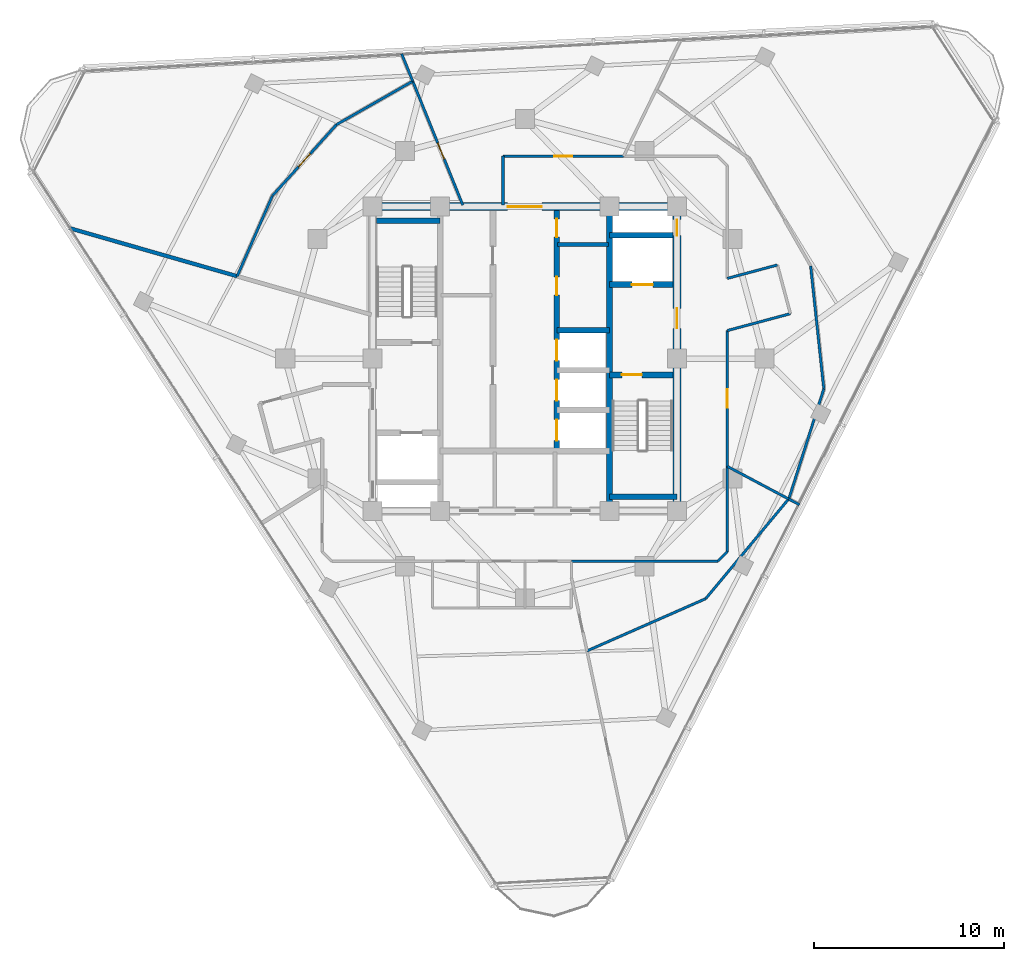
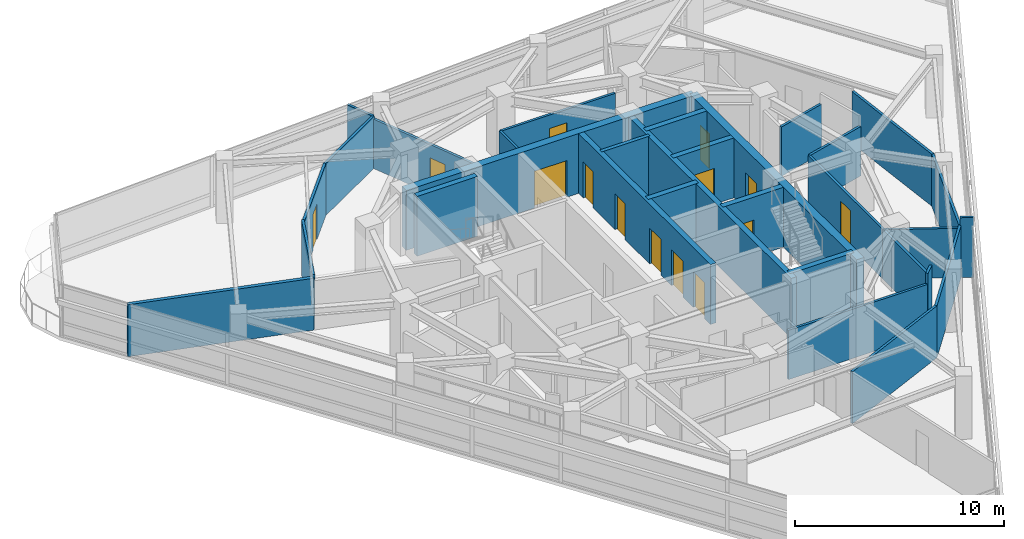
# One storey, part 9 of 15: 31 walls, 14 doors, 14 openings.
"""IFC4 building model written with IfcOpenShell, lengths in metres."""

from ifc_helpers import new_model, si_unit, direction, frame, frame_2d, origin, place, context, subcontext, project, spatial, rectangle, extrude, material, layer, layer_set, type_object, element, fill, save


model = new_model("IFC4")

# Units and contexts
model_context = context("Model", 3, precision=1e-05, world=origin(), true_north=direction((0.0, 1.0)))
body_context = subcontext(model_context, "Body", "Model", "MODEL_VIEW")
ifc_project = project(units=[si_unit("LENGTHUNIT", "METRE"), si_unit("AREAUNIT", "SQUARE_METRE"), si_unit("VOLUMEUNIT", "CUBIC_METRE"), si_unit("PLANEANGLEUNIT", "RADIAN"), si_unit("MASSUNIT", "GRAM", prefix="KILO")], contexts=[model_context])

# Site, building, storey
site_placement = place(None, origin())
site = spatial("IfcSite", under=ifc_project, at=site_placement, CompositionType="ELEMENT")
building_placement = place(site_placement, origin())
building = spatial("IfcBuilding", under=site, at=building_placement, Name="Terralouvre Media Tower", CompositionType="ELEMENT")
storey_placement = place(building_placement, frame((0.0, 0.0, 263.300048828125)))
storey = spatial("IfcBuildingStorey", under=building, at=storey_placement, Name="L68", CompositionType="ELEMENT", Elevation=263.300048828125)

# Walls
ifc_material_1 = material(Name="Concrete C50/60", Category="concrete")
ifc_layer_1 = layer(ifc_material_1, 0.300048828125, Name="Core Internal Shaft Wall CW-300")
ifc_layer_set_1 = layer_set([ifc_layer_1], Name="Concrete C50/60")
wall_type_1 = type_object("IfcWallType", Name="Core Internal Shaft Wall CW-300", PredefinedType="SHEAR", material=ifc_layer_set_1)
wall_1_placement = place(storey_placement, frame((4.449951171875, -7.7900390625, 0.0), z_axis=(0.0, 0.0, 1.0), x_axis=(0.0, 1.0, 0.0)))
element("IfcWall", 1, at=wall_1_placement, inside=storey, type_object=wall_type_1, Name="L68 Core Shaft Wall SPE", PredefinedType="SHEAR", context=body_context, shape_type="SweptSolid", body=[
    extrude(rectangle(XDim=15.580078125, YDim=0.300048828125, at=frame_2d((7.7900390625, 0.0))), origin(), (0.0, 0.0, 1.0), 3.5),
])
wall_2_placement = place(storey_placement, frame((-7.7900390625, 7.260009765625, 0.0), z_axis=(0.0, 0.0, 1.0), x_axis=(1.0, 0.0, 0.0)))
element("IfcWall", 2, at=wall_2_placement, inside=storey, type_object=wall_type_1, Name="L68 Core Shaft Wall ST1F", PredefinedType="SHEAR", context=body_context, shape_type="SweptSolid", body=[
    extrude(rectangle(XDim=3.340087890625, YDim=0.300048828125, at=frame_2d((1.669921875, 0.0))), origin(), (0.0, 0.0, 1.0), 3.5),
])

# Wall, opening, door
wall_3_placement = place(storey_placement, frame((4.449951171875, -0.85009765625, 0.0), z_axis=(0.0, 0.0, 1.0), x_axis=(1.0, 0.0, 0.0)))
wall_3 = element("IfcWall", 3, at=wall_3_placement, inside=storey, type_object=wall_type_1, Name="L68 Core Shaft Wall ST2D", PredefinedType="SHEAR", context=body_context, shape_type="SweptSolid", body=[
    extrude(rectangle(XDim=3.340087890625, YDim=0.300048828125, at=frame_2d((1.669921875, 0.0))), origin(), (0.0, 0.0, 1.0), 3.5),
])
opening_1_placement = place(wall_3_placement, frame((0.64990234375, 0.0, 0.0)))
opening_1 = element("IfcOpeningElement", 4, at=opening_1_placement, cuts=wall_3, Name="Opening FD-01-105X215", PredefinedType="OPENING", context=body_context, shape_type="SweptSolid", body=[
    extrude(rectangle(XDim=1.050048828125, YDim=2.14990234375, at=frame_2d((0.52490234375, 1.074951171875))), frame((0.0, 0.159912109375, 0.0), z_axis=(0.0, -1.0, 0.0), x_axis=(1.0, 0.0, 0.0)), (0.0, 0.0, 1.0), 0.320068359375),
])
ifc_material_2 = material(Name="Galvanised steel fire-resisting leaf", Category="steel")
door_type_1 = type_object("IfcDoorType", Name="Stair and Firefighting Lobby Fire Door FD-01 (1050x2150)", OperationType="NOTDEFINED", PredefinedType="DOOR", material=ifc_material_2)
door_1_placement = place(opening_1_placement, origin())
door_1 = element("IfcDoor", 5, at=door_1_placement, inside=storey, type_object=door_type_1, Name="L68 ST-02 Exit Stair Door", OperationType="SINGLE_SWING_RIGHT", OverallHeight=2.14990234375, OverallWidth=1.050048828125, PredefinedType="DOOR", context=body_context, shape_type="SweptSolid", body=[
    extrude(rectangle(XDim=1.050048828125, YDim=2.14990234375, at=frame_2d((0.52490234375, 1.074951171875))), frame((0.0, 0.02490234375, 0.0), z_axis=(0.0, -1.0, 0.0), x_axis=(1.0, 0.0, 0.0)), (0.0, 0.0, 1.0), 0.050048828125),
])
fill(opening_1, door_1)

# Wall
wall_4_placement = place(storey_placement, frame((4.449951171875, -7.260009765625, 0.0), z_axis=(0.0, 0.0, 1.0), x_axis=(1.0, 0.0, 0.0)))
element("IfcWall", 6, at=wall_4_placement, inside=storey, type_object=wall_type_1, Name="L68 Core Shaft Wall ST2F", PredefinedType="SHEAR", context=body_context, shape_type="SweptSolid", body=[
    extrude(rectangle(XDim=3.550048828125, YDim=0.300048828125, at=frame_2d((1.77490234375, 0.0))), origin(), (0.0, 0.0, 1.0), 3.5),
])

# Wall, opening, door
wall_5_placement = place(storey_placement, frame((4.449951171875, 3.89990234375, 0.0), z_axis=(0.0, 0.0, 1.0), x_axis=(1.0, 0.0, 0.0)))
wall_5 = element("IfcWall", 7, at=wall_5_placement, inside=storey, type_object=wall_type_1, Name="L68 Core Shaft Wall FF2S", PredefinedType="SHEAR", context=body_context, shape_type="SweptSolid", body=[
    extrude(rectangle(XDim=3.340087890625, YDim=0.300048828125, at=frame_2d((1.669921875, 0.0))), origin(), (0.0, 0.0, 1.0), 3.5),
])
opening_2_placement = place(wall_5_placement, frame((1.179931640625, 0.0, 0.0)))
opening_2 = element("IfcOpeningElement", 8, at=opening_2_placement, cuts=wall_5, Name="Opening LD-FF", PredefinedType="OPENING", context=body_context, shape_type="SweptSolid", body=[
    extrude(rectangle(XDim=1.10009765625, YDim=2.10009765625, at=frame_2d((0.550048828125, 1.050048828125))), frame((0.0, 0.159912109375, 0.0), z_axis=(0.0, -1.0, 0.0), x_axis=(1.0, 0.0, 0.0)), (0.0, 0.0, 1.0), 0.320068359375),
])
ifc_material_3 = material(Name="Stainless steel 316 handrail and balustrade", Category="steel")
door_type_2 = type_object("IfcDoorType", Name="Firefighting Lift Sliding Landing Door LD-FF", OperationType="SLIDING_TO_LEFT", PredefinedType="DOOR", material=ifc_material_3)
door_2_placement = place(opening_2_placement, origin())
door_2 = element("IfcDoor", 9, at=door_2_placement, inside=storey, type_object=door_type_2, Name="L68 Firefighting Lift FFL-02 Landing Door", OperationType="SLIDING_TO_LEFT", OverallHeight=2.10009765625, OverallWidth=1.10009765625, PredefinedType="DOOR", context=body_context, shape_type="SweptSolid", body=[
    extrude(rectangle(XDim=1.10009765625, YDim=2.10009765625, at=frame_2d((0.550048828125, 1.050048828125))), frame((0.0, 0.02490234375, 0.0), z_axis=(0.0, -1.0, 0.0), x_axis=(1.0, 0.0, 0.0)), (0.0, 0.0, 1.0), 0.050048828125),
])
fill(opening_2, door_2)

# Wall
wall_6_placement = place(storey_placement, frame((4.449951171875, 6.5, 0.0), z_axis=(0.0, 0.0, 1.0), x_axis=(1.0, 0.0, 0.0)))
element("IfcWall", 10, at=wall_6_placement, inside=storey, type_object=wall_type_1, Name="L68 Core Shaft Wall FF2N", PredefinedType="SHEAR", context=body_context, shape_type="SweptSolid", body=[
    extrude(rectangle(XDim=3.340087890625, YDim=0.300048828125, at=frame_2d((1.669921875, 0.0))), origin(), (0.0, 0.0, 1.0), 3.5),
])

# Wall, openings, doors
wall_7_placement = place(storey_placement, frame((1.679931640625, -4.85009765625, 0.0), z_axis=(0.0, 0.0, 1.0), x_axis=(0.0, 1.0, 0.0)))
wall_7 = element("IfcWall", 11, at=wall_7_placement, inside=storey, type_object=wall_type_1, Name="L68 Core Shaft Wall LBE", PredefinedType="SHEAR", context=body_context, shape_type="SweptSolid", body=[
    extrude(rectangle(XDim=12.64013671875, YDim=0.300048828125, at=frame_2d((6.320068359375, 0.0))), origin(), (0.0, 0.0, 1.0), 3.5),
])
opening_3_placement = place(wall_7_placement, frame((0.550048828125, 0.0, 0.0)))
opening_3 = element("IfcOpeningElement", 12, at=opening_3_placement, cuts=wall_7, Name="Opening LD-PL", PredefinedType="OPENING", context=body_context, shape_type="SweptSolid", body=[
    extrude(rectangle(XDim=1.10009765625, YDim=2.10009765625, at=frame_2d((0.550048828125, 1.050048828125))), frame((0.0, 0.159912109375, 0.0), z_axis=(0.0, -1.0, 0.0), x_axis=(1.0, 0.0, 0.0)), (0.0, 0.0, 1.0), 0.320068359375),
])
opening_4_placement = place(wall_7_placement, frame((2.64990234375, 0.0, 0.0)))
opening_4 = element("IfcOpeningElement", 13, at=opening_4_placement, cuts=wall_7, Name="Opening LD-PL", PredefinedType="OPENING", context=body_context, shape_type="SweptSolid", body=[
    extrude(rectangle(XDim=1.10009765625, YDim=2.10009765625, at=frame_2d((0.550048828125, 1.050048828125))), frame((0.0, 0.159912109375, 0.0), z_axis=(0.0, -1.0, 0.0), x_axis=(1.0, 0.0, 0.0)), (0.0, 0.0, 1.0), 0.320068359375),
])
opening_5_placement = place(wall_7_placement, frame((4.75, 0.0, 0.0)))
opening_5 = element("IfcOpeningElement", 14, at=opening_5_placement, cuts=wall_7, Name="Opening LD-PL", PredefinedType="OPENING", context=body_context, shape_type="SweptSolid", body=[
    extrude(rectangle(XDim=1.10009765625, YDim=2.10009765625, at=frame_2d((0.550048828125, 1.050048828125))), frame((0.0, 0.159912109375, 0.0), z_axis=(0.0, -1.0, 0.0), x_axis=(1.0, 0.0, 0.0)), (0.0, 0.0, 1.0), 0.320068359375),
])
opening_6_placement = place(wall_7_placement, frame((8.199951171875, 0.0, 0.0)))
opening_6 = element("IfcOpeningElement", 15, at=opening_6_placement, cuts=wall_7, Name="Opening FD-02-95X210", PredefinedType="OPENING", context=body_context, shape_type="SweptSolid", body=[
    extrude(rectangle(XDim=0.949951171875, YDim=2.10009765625, at=frame_2d((0.47509765625, 1.050048828125))), frame((0.0, 0.159912109375, 0.0), z_axis=(0.0, -1.0, 0.0), x_axis=(1.0, 0.0, 0.0)), (0.0, 0.0, 1.0), 0.320068359375),
])
opening_7_placement = place(wall_7_placement, frame((11.25, 0.0, 0.0)))
opening_7 = element("IfcOpeningElement", 16, at=opening_7_placement, cuts=wall_7, Name="Opening SD-02", PredefinedType="OPENING", context=body_context, shape_type="SweptSolid", body=[
    extrude(rectangle(XDim=0.949951171875, YDim=2.10009765625, at=frame_2d((0.47509765625, 1.050048828125))), frame((0.0, 0.159912109375, 0.0), z_axis=(0.0, -1.0, 0.0), x_axis=(1.0, 0.0, 0.0)), (0.0, 0.0, 1.0), 0.320068359375),
])
ifc_material_4 = material(Name="Galvanised steel fire-resisting leaf", Category="steel")
door_type_3 = type_object("IfcDoorType", Name="Core Service Sliding Fire Door SD-02", OperationType="SLIDING_TO_LEFT", PredefinedType="DOOR", material=ifc_material_4)
door_3_placement = place(opening_7_placement, origin())
door_3 = element("IfcDoor", 17, at=door_3_placement, inside=storey, type_object=door_type_3, Name="L68 Core Hospitality Store Door", OperationType="SLIDING_TO_LEFT", OverallHeight=2.10009765625, OverallWidth=0.949951171875, PredefinedType="DOOR", context=body_context, shape_type="SweptSolid", body=[
    extrude(rectangle(XDim=0.949951171875, YDim=2.10009765625, at=frame_2d((0.47509765625, 1.050048828125))), frame((0.0, 0.02490234375, 0.0), z_axis=(0.0, -1.0, 0.0), x_axis=(1.0, 0.0, 0.0)), (0.0, 0.0, 1.0), 0.050048828125),
])
fill(opening_7, door_3)
ifc_material_5 = material(Name="Stainless steel 316 handrail and balustrade", Category="steel")
door_type_4 = type_object("IfcDoorType", Name="Passenger Lift Sliding Landing Door LD-PL", OperationType="SLIDING_TO_LEFT", PredefinedType="DOOR", material=ifc_material_5)
door_4_placement = place(opening_3_placement, origin())
door_4 = element("IfcDoor", 18, at=door_4_placement, inside=storey, type_object=door_type_4, Name="L68 High-Rise Lift PL-H1 Landing Door", OperationType="SLIDING_TO_LEFT", OverallHeight=2.10009765625, OverallWidth=1.10009765625, PredefinedType="DOOR", context=body_context, shape_type="SweptSolid", body=[
    extrude(rectangle(XDim=1.10009765625, YDim=2.10009765625, at=frame_2d((0.550048828125, 1.050048828125))), frame((0.0, 0.02490234375, 0.0), z_axis=(0.0, -1.0, 0.0), x_axis=(1.0, 0.0, 0.0)), (0.0, 0.0, 1.0), 0.050048828125),
])
fill(opening_3, door_4)
door_5_placement = place(opening_4_placement, origin())
door_5 = element("IfcDoor", 19, at=door_5_placement, inside=storey, type_object=door_type_4, Name="L68 High-Rise Lift PL-H2 Landing Door", OperationType="SLIDING_TO_LEFT", OverallHeight=2.10009765625, OverallWidth=1.10009765625, PredefinedType="DOOR", context=body_context, shape_type="SweptSolid", body=[
    extrude(rectangle(XDim=1.10009765625, YDim=2.10009765625, at=frame_2d((0.550048828125, 1.050048828125))), frame((0.0, 0.02490234375, 0.0), z_axis=(0.0, -1.0, 0.0), x_axis=(1.0, 0.0, 0.0)), (0.0, 0.0, 1.0), 0.050048828125),
])
fill(opening_4, door_5)
door_6_placement = place(opening_5_placement, origin())
door_6 = element("IfcDoor", 20, at=door_6_placement, inside=storey, type_object=door_type_4, Name="L68 High-Rise Lift PL-H3 Landing Door", OperationType="SLIDING_TO_LEFT", OverallHeight=2.10009765625, OverallWidth=1.10009765625, PredefinedType="DOOR", context=body_context, shape_type="SweptSolid", body=[
    extrude(rectangle(XDim=1.10009765625, YDim=2.10009765625, at=frame_2d((0.550048828125, 1.050048828125))), frame((0.0, 0.02490234375, 0.0), z_axis=(0.0, -1.0, 0.0), x_axis=(1.0, 0.0, 0.0)), (0.0, 0.0, 1.0), 0.050048828125),
])
fill(opening_5, door_6)
ifc_material_6 = material(Name="Galvanised steel fire-resisting leaf", Category="steel")
door_type_5 = type_object("IfcDoorType", Name="Plant and Riser Fire Door FD-02 (950x2100)", OperationType="NOTDEFINED", PredefinedType="DOOR", material=ifc_material_6)
door_7_placement = place(opening_6_placement, origin())
door_7 = element("IfcDoor", 21, at=door_7_placement, inside=storey, type_object=door_type_5, Name="L68 Core Telemetry Plant Door", OperationType="SINGLE_SWING_RIGHT", OverallHeight=2.10009765625, OverallWidth=0.949951171875, PredefinedType="DOOR", context=body_context, shape_type="SweptSolid", body=[
    extrude(rectangle(XDim=0.949951171875, YDim=2.10009765625, at=frame_2d((0.47509765625, 1.050048828125))), frame((0.0, 0.02490234375, 0.0), z_axis=(0.0, -1.0, 0.0), x_axis=(1.0, 0.0, 0.0)), (0.0, 0.0, 1.0), 0.050048828125),
])
fill(opening_6, door_7)

# Wall
wall_8_placement = place(storey_placement, frame((1.679931640625, 1.5, 0.0), z_axis=(0.0, 0.0, 1.0), x_axis=(1.0, 0.0, 0.0)))
element("IfcWall", 22, at=wall_8_placement, inside=storey, type_object=wall_type_1, Name="L68 Core Shaft Wall PLMBOT", PredefinedType="SHEAR", context=body_context, shape_type="SweptSolid", body=[
    extrude(rectangle(XDim=2.77001953125, YDim=0.300048828125, at=frame_2d((1.385009765625, 0.0))), origin(), (0.0, 0.0, 1.0), 3.5),
])

# Wall, openings, doors
ifc_material_7 = material(Name="Concrete C60/75", Category="concrete")
ifc_layer_2 = layer(ifc_material_7, 0.419921875, Name="Core Reinforced Concrete Shear Wall CW-420")
ifc_layer_set_2 = layer_set([ifc_layer_2], Name="Concrete C60/75")
wall_type_2 = type_object("IfcWallType", Name="Core Reinforced Concrete Shear Wall CW-420", PredefinedType="SHEAR", material=ifc_layer_set_2)
wall_9_placement = place(storey_placement, frame((8.0, -8.0, 0.0), z_axis=(0.0, 0.0, 1.0), x_axis=(0.0, 1.0, 0.0)))
wall_9 = element("IfcWall", 23, at=wall_9_placement, inside=storey, type_object=wall_type_2, Name="L68 E Core Shear Wall", PredefinedType="SHEAR", context=body_context, shape_type="SweptSolid", body=[
    extrude(rectangle(XDim=16.0, YDim=0.419921875, at=frame_2d((8.0, 0.0))), origin(), (0.0, 0.0, 1.0), 3.5),
])
opening_8_placement = place(wall_9_placement, frame((9.60009765625, 0.0, 0.0)))
opening_8 = element("IfcOpeningElement", 24, at=opening_8_placement, cuts=wall_9, Name="Opening FD-01-105X215", PredefinedType="OPENING", context=body_context, shape_type="SweptSolid", body=[
    extrude(rectangle(XDim=1.050048828125, YDim=2.14990234375, at=frame_2d((0.52490234375, 1.074951171875))), frame((0.0, 0.219970703125, 0.0), z_axis=(0.0, -1.0, 0.0), x_axis=(1.0, 0.0, 0.0)), (0.0, 0.0, 1.0), 0.43994140625),
])
opening_9_placement = place(wall_9_placement, frame((14.468994140625, 0.0, 0.0)))
opening_9 = element("IfcOpeningElement", 25, at=opening_9_placement, cuts=wall_9, Name="Opening TD-R1", PredefinedType="OPENING", context=body_context, shape_type="SweptSolid", body=[
    extrude(rectangle(XDim=0.85009765625, YDim=2.02001953125, at=frame_2d((0.425048828125, 1.010009765625))), frame((0.0, 0.219970703125, 0.0), z_axis=(0.0, -1.0, 0.0), x_axis=(1.0, 0.0, 0.0)), (0.0, 0.0, 1.0), 0.43994140625),
])
ifc_material_8 = material(Name="Galvanised steel fire-resisting leaf", Category="steel")
door_type_6 = type_object("IfcDoorType", Name="Riser Inspection Access Trapdoor TD-R1", OperationType="NOTDEFINED", PredefinedType="TRAPDOOR", material=ifc_material_8)
door_8_placement = place(opening_9_placement, origin())
door_8 = element("IfcDoor", 26, at=door_8_placement, inside=storey, type_object=door_type_6, Name="L68 East Comms Riser Access Trapdoor", OperationType="SINGLE_SWING_RIGHT", OverallHeight=2.02001953125, OverallWidth=0.85009765625, PredefinedType="TRAPDOOR", context=body_context, shape_type="SweptSolid", body=[
    extrude(rectangle(XDim=0.85009765625, YDim=2.02001953125, at=frame_2d((0.425048828125, 1.010009765625))), frame((0.0, 0.02490234375, 0.0), z_axis=(0.0, -1.0, 0.0), x_axis=(1.0, 0.0, 0.0)), (0.0, 0.0, 1.0), 0.050048828125),
])
fill(opening_9, door_8)
door_9_placement = place(opening_8_placement, origin())
door_9 = element("IfcDoor", 27, at=door_9_placement, inside=storey, type_object=door_type_1, Name="L68 East Firefighting Lobby Entry Door", OperationType="SINGLE_SWING_LEFT", OverallHeight=2.14990234375, OverallWidth=1.050048828125, PredefinedType="DOOR", context=body_context, shape_type="SweptSolid", body=[
    extrude(rectangle(XDim=1.050048828125, YDim=2.14990234375, at=frame_2d((0.52490234375, 1.074951171875))), frame((0.0, 0.02490234375, 0.0), z_axis=(0.0, -1.0, 0.0), x_axis=(1.0, 0.0, 0.0)), (0.0, 0.0, 1.0), 0.050048828125),
])
fill(opening_8, door_9)

# Wall, opening, door
wall_10_placement = place(storey_placement, frame((-8.0, 8.0, 0.0), z_axis=(0.0, 0.0, 1.0), x_axis=(1.0, 0.0, 0.0)))
wall_10 = element("IfcWall", 28, at=wall_10_placement, inside=storey, type_object=wall_type_2, Name="L68 N Core Shear Wall", PredefinedType="SHEAR", context=body_context, shape_type="SweptSolid", body=[
    extrude(rectangle(XDim=16.0, YDim=0.419921875, at=frame_2d((8.0, 0.0))), origin(), (0.0, 0.0, 1.0), 3.5),
])
opening_10_placement = place(wall_10_placement, frame((7.10009765625, 0.0, 0.0)))
opening_10 = element("IfcOpeningElement", 29, at=opening_10_placement, cuts=wall_10, Name="Opening FD-03", PredefinedType="OPENING", context=body_context, shape_type="SweptSolid", body=[
    extrude(rectangle(XDim=1.800048828125, YDim=2.14990234375, at=frame_2d((0.89990234375, 1.074951171875))), frame((0.0, 0.219970703125, 0.0), z_axis=(0.0, -1.0, 0.0), x_axis=(1.0, 0.0, 0.0)), (0.0, 0.0, 1.0), 0.43994140625),
])
ifc_material_9 = material(Name="Galvanised steel fire-resisting leaf", Category="steel")
door_type_7 = type_object("IfcDoorType", Name="Corridor Smoke-Control Double Door FD-03", OperationType="DOUBLE_DOOR_SINGLE_SWING", PredefinedType="DOOR", material=ifc_material_9)
door_10_placement = place(opening_10_placement, origin())
door_10 = element("IfcDoor", 30, at=door_10_placement, inside=storey, type_object=door_type_7, Name="L68 Central Lift Lobby Portal Door", OperationType="DOUBLE_DOOR_SINGLE_SWING", OverallHeight=2.14990234375, OverallWidth=1.800048828125, PredefinedType="DOOR", context=body_context, shape_type="SweptSolid", body=[
    extrude(rectangle(XDim=1.800048828125, YDim=2.14990234375, at=frame_2d((0.89990234375, 1.074951171875))), frame((0.0, 0.02490234375, 0.0), z_axis=(0.0, -1.0, 0.0), x_axis=(1.0, 0.0, 0.0)), (0.0, 0.0, 1.0), 0.050048828125),
])
fill(opening_10, door_10)

# Walls
ifc_material_10 = material(Name="Fire-rated gypsum board drywall partition")
ifc_layer_3 = layer(ifc_material_10, 0.199951171875, Name="Fire-Rated Shaft and Lobby Partition FW-200")
ifc_layer_set_3 = layer_set([ifc_layer_3], Name="Fire-rated gypsum board drywall partition")
wall_type_3 = type_object("IfcWallType", Name="Fire-Rated Shaft and Lobby Partition FW-200", PredefinedType="SOLIDWALL", material=ifc_layer_set_3)
wall_11_placement = place(storey_placement, frame((1.719970703125, 6.010009765625, 0.0), z_axis=(0.0, 0.0, 1.0), x_axis=(1.0, 0.0, 0.0)))
element("IfcWall", 31, at=wall_11_placement, inside=storey, type_object=wall_type_3, Name="L68 Core East Sub-Partition 1", PredefinedType="SOLIDWALL", context=body_context, shape_type="SweptSolid", body=[
    extrude(rectangle(XDim=2.679931640625, YDim=0.199951171875, at=frame_2d((1.33984375, 0.0))), origin(), (0.0, 0.0, 1.0), 3.5),
])
wall_12_placement = place(storey_placement, frame((-15.12890625, 4.337890625, 0.0), z_axis=(0.0, 0.0, 1.0), x_axis=(-0.96123865256, 0.275717704953, 0.0)))
element("IfcWall", 32, at=wall_12_placement, inside=storey, type_object=wall_type_3, Name="L68 Interior Partition 026", PredefinedType="SOLIDWALL", context=body_context, shape_type="SweptSolid", body=[
    extrude(rectangle(XDim=9.187744140625, YDim=0.199951171875, at=frame_2d((4.59375, 0.0))), origin(), (0.0, 0.0, 1.0), 3.034912109375),
])

# Wall, opening, door
ifc_material_11 = material(Name="Fire-rated gypsum board drywall partition")
ifc_layer_4 = layer(ifc_material_11, 0.135009765625, Name="Newsroom Acoustic Partition PT-135")
ifc_layer_set_4 = layer_set([ifc_layer_4], Name="Fire-rated gypsum board drywall partition")
wall_type_4 = type_object("IfcWallType", Name="Newsroom Acoustic Partition PT-135", PredefinedType="PARTITIONING", material=ifc_layer_set_4)
wall_13_placement = place(storey_placement, frame((10.64990234375, -5.6630859375, 0.0), z_axis=(0.0, 0.0, 1.0), x_axis=(0.0, 1.0, 0.0)))
wall_13 = element("IfcWall", 33, at=wall_13_placement, inside=storey, type_object=wall_type_4, Name="L68 Interior Partition 006", PredefinedType="PARTITIONING", context=body_context, shape_type="SweptSolid", body=[
    extrude(rectangle(XDim=7.14501953125, YDim=0.135009765625, at=frame_2d((3.572509765625, 0.0))), origin(), (0.0, 0.0, 1.0), 2.885009765625),
])
opening_11_placement = place(wall_13_placement, frame((3.097412109375, 0.0, 0.0)))
opening_11 = element("IfcOpeningElement", 34, at=opening_11_placement, cuts=wall_13, Name="Opening ID-02-95X210", PredefinedType="OPENING", context=body_context, shape_type="SweptSolid", body=[
    extrude(rectangle(XDim=0.949951171875, YDim=2.10009765625, at=frame_2d((0.47509765625, 1.050048828125))), frame((0.0, 0.077392578125, 0.0), z_axis=(0.0, -1.0, 0.0), x_axis=(1.0, 0.0, 0.0)), (0.0, 0.0, 1.0), 0.155029296875),
])
ifc_material_12 = material(Name="Engineered hardwood acoustic timber leaf", Category="wood")
door_type_8 = type_object("IfcDoorType", Name="Office and Meeting Room Door ID-02 (950x2100)", OperationType="NOTDEFINED", PredefinedType="DOOR", material=ifc_material_12)
door_11_placement = place(opening_11_placement, origin())
door_11 = element("IfcDoor", 35, at=door_11_placement, inside=storey, type_object=door_type_8, Name="L68 Wire Copy Workspace 2 Door", OperationType="SINGLE_SWING_LEFT", OverallHeight=2.10009765625, OverallWidth=0.949951171875, PredefinedType="DOOR", context=body_context, shape_type="SweptSolid", body=[
    extrude(rectangle(XDim=0.949951171875, YDim=2.10009765625, at=frame_2d((0.47509765625, 1.050048828125))), frame((0.0, 0.02490234375, 0.0), z_axis=(0.0, -1.0, 0.0), x_axis=(1.0, 0.0, 0.0)), (0.0, 0.0, 1.0), 0.050048828125),
])
fill(opening_11, door_11)

# Walls
wall_14_placement = place(storey_placement, frame((10.64990234375, 1.48193359375, 0.0), z_axis=(0.0, 0.0, 1.0), x_axis=(0.965961397105, 0.2586862565, 0.0)))
element("IfcWall", 36, at=wall_14_placement, inside=storey, type_object=wall_type_4, Name="L68 Interior Partition 007", PredefinedType="PARTITIONING", context=body_context, shape_type="SweptSolid", body=[
    extrude(rectangle(XDim=3.4287109375, YDim=0.135009765625, at=frame_2d((1.71435546875, 0.0))), origin(), (0.0, 0.0, 1.0), 2.885009765625),
])
wall_15_placement = place(storey_placement, frame((13.277099609375, 4.928955078125, 0.0), z_axis=(0.0, 0.0, 1.0), x_axis=(-0.965934830229, -0.258785439601, 0.0)))
element("IfcWall", 37, at=wall_15_placement, inside=storey, type_object=wall_type_4, Name="L68 Interior Partition 009", PredefinedType="PARTITIONING", context=body_context, shape_type="SweptSolid", body=[
    extrude(rectangle(XDim=2.719970703125, YDim=0.135009765625, at=frame_2d((1.35986328125, 0.0))), origin(), (0.0, 0.0, 1.0), 2.885009765625),
])
wall_16_placement = place(storey_placement, frame((2.449951171875, -10.64990234375, 0.0), z_axis=(0.0, 0.0, 1.0), x_axis=(1.0, 0.0, 0.0)))
element("IfcWall", 38, at=wall_16_placement, inside=storey, type_object=wall_type_4, Name="L68 Interior Partition 019", PredefinedType="PARTITIONING", context=body_context, shape_type="SweptSolid", body=[
    extrude(rectangle(XDim=7.699951171875, YDim=0.135009765625, at=frame_2d((3.85009765625, 0.0))), origin(), (0.0, 0.0, 1.0), 2.885009765625),
])
wall_17_placement = place(storey_placement, frame((10.14990234375, -10.64990234375, 0.0), z_axis=(0.0, 0.0, 1.0), x_axis=(0.707106781187, 0.707106781187, 0.0)))
element("IfcWall", 39, at=wall_17_placement, inside=storey, type_object=wall_type_4, Name="L68 Interior Partition 020", PredefinedType="PARTITIONING", context=body_context, shape_type="SweptSolid", body=[
    extrude(rectangle(XDim=0.70703125, YDim=0.135009765625, at=frame_2d((0.353515625, 0.0))), origin(), (0.0, 0.0, 1.0), 3.5),
])
wall_18_placement = place(storey_placement, frame((10.64990234375, -10.14990234375, 0.0), z_axis=(0.0, 0.0, 1.0), x_axis=(0.0, 1.0, 0.0)))
element("IfcWall", 40, at=wall_18_placement, inside=storey, type_object=wall_type_4, Name="L68 Interior Partition 021", PredefinedType="PARTITIONING", context=body_context, shape_type="SweptSolid", body=[
    extrude(rectangle(XDim=4.48681640625, YDim=0.135009765625, at=frame_2d((2.243408203125, 0.0))), origin(), (0.0, 0.0, 1.0), 2.885009765625),
])

# Wall, opening, door
wall_19_placement = place(storey_placement, frame((5.194091796875, 10.64990234375, 0.0), z_axis=(0.0, 0.0, 1.0), x_axis=(-1.0, 0.0, 0.0)))
wall_19 = element("IfcWall", 41, at=wall_19_placement, inside=storey, type_object=wall_type_4, Name="L68 Interior Partition 022", PredefinedType="PARTITIONING", context=body_context, shape_type="SweptSolid", body=[
    extrude(rectangle(XDim=6.343994140625, YDim=0.135009765625, at=frame_2d((3.171875, 0.0))), origin(), (0.0, 0.0, 1.0), 2.885009765625),
])
opening_12_placement = place(wall_19_placement, frame((2.697021484375, 0.0, 0.0)))
opening_12 = element("IfcOpeningElement", 42, at=opening_12_placement, cuts=wall_19, Name="Opening ID-02-95X210", PredefinedType="OPENING", context=body_context, shape_type="SweptSolid", body=[
    extrude(rectangle(XDim=0.949951171875, YDim=2.10009765625, at=frame_2d((0.47509765625, 1.050048828125))), frame((0.0, 0.077392578125, 0.0), z_axis=(0.0, -1.0, 0.0), x_axis=(1.0, 0.0, 0.0)), (0.0, 0.0, 1.0), 0.155029296875),
])
door_12_placement = place(opening_12_placement, origin())
door_12 = element("IfcDoor", 43, at=door_12_placement, inside=storey, type_object=door_type_8, Name="L68 Assignment Editors Workspace 7 Door", OperationType="SINGLE_SWING_RIGHT", OverallHeight=2.10009765625, OverallWidth=0.949951171875, PredefinedType="DOOR", context=body_context, shape_type="SweptSolid", body=[
    extrude(rectangle(XDim=0.949951171875, YDim=2.10009765625, at=frame_2d((0.47509765625, 1.050048828125))), frame((0.0, 0.02490234375, 0.0), z_axis=(0.0, -1.0, 0.0), x_axis=(1.0, 0.0, 0.0)), (0.0, 0.0, 1.0), 0.050048828125),
])
fill(opening_12, door_12)

# Walls
wall_20_placement = place(storey_placement, frame((-1.14990234375, 10.64990234375, 0.0), z_axis=(0.0, 0.0, 1.0), x_axis=(0.0, -1.0, 0.0)))
element("IfcWall", 44, at=wall_20_placement, inside=storey, type_object=wall_type_4, Name="L68 Interior Partition 023", PredefinedType="PARTITIONING", context=body_context, shape_type="SweptSolid", body=[
    extrude(rectangle(XDim=2.56982421875, YDim=0.135009765625, at=frame_2d((1.284912109375, 0.0))), origin(), (0.0, 0.0, 1.0), 2.885009765625),
])
wall_21_placement = place(storey_placement, frame((10.64990234375, -5.6630859375, 0.0), z_axis=(0.0, 0.0, 1.0), x_axis=(0.882982204984, -0.469406461057, 0.0)))
element("IfcWall", 45, at=wall_21_placement, inside=storey, type_object=wall_type_4, Name="L68 Interior Partition 027", PredefinedType="PARTITIONING", context=body_context, shape_type="SweptSolid", body=[
    extrude(rectangle(XDim=3.64697265625, YDim=0.135009765625, at=frame_2d((1.823486328125, 0.0))), origin(), (0.0, 0.0, 1.0), 2.885009765625),
])
wall_22_placement = place(storey_placement, frame((13.886962890625, -7.35400390625, 0.0), z_axis=(0.0, 0.0, 1.0), x_axis=(0.302867480059, 0.953032680197, 0.0)))
element("IfcWall", 46, at=wall_22_placement, inside=storey, type_object=wall_type_4, Name="L68 Interior Partition 028", PredefinedType="PARTITIONING", context=body_context, shape_type="SweptSolid", body=[
    extrude(rectangle(XDim=6.055419921875, YDim=0.135009765625, at=frame_2d((3.02783203125, 0.0))), origin(), (0.0, 0.0, 1.0), 3.034912109375),
])
wall_23_placement = place(storey_placement, frame((15.720947265625, -1.5830078125, 0.0), z_axis=(0.0, 0.0, 1.0), x_axis=(-0.106709447524, 0.994290246261, 0.0)))
element("IfcWall", 47, at=wall_23_placement, inside=storey, type_object=wall_type_4, Name="L68 Interior Partition 029", PredefinedType="PARTITIONING", context=body_context, shape_type="SweptSolid", body=[
    extrude(rectangle(XDim=6.502197265625, YDim=0.135009765625, at=frame_2d((3.2509765625, 0.0))), origin(), (0.0, 0.0, 1.0), 3.034912109375),
])
wall_24_placement = place(storey_placement, frame((13.8701171875, -7.375, 0.0), z_axis=(0.0, 0.0, 1.0), x_axis=(-0.63949044568, -0.768799043888, 0.0)))
element("IfcWall", 48, at=wall_24_placement, inside=storey, type_object=wall_type_4, Name="L68 Interior Partition 043", PredefinedType="PARTITIONING", context=body_context, shape_type="SweptSolid", body=[
    extrude(rectangle(XDim=6.819580078125, YDim=0.135009765625, at=frame_2d((3.40966796875, 0.0))), origin(), (0.0, 0.0, 1.0), 3.034912109375),
])
wall_25_placement = place(storey_placement, frame((9.509033203125, -12.617919921875, 0.0), z_axis=(0.0, 0.0, 1.0), x_axis=(-0.915305003879, -0.402761405641, 0.0)))
element("IfcWall", 49, at=wall_25_placement, inside=storey, type_object=wall_type_4, Name="L68 Interior Partition 044", PredefinedType="PARTITIONING", context=body_context, shape_type="SweptSolid", body=[
    extrude(rectangle(XDim=6.820556640625, YDim=0.135009765625, at=frame_2d((3.41015625, 0.0))), origin(), (0.0, 0.0, 1.0), 3.034912109375),
])
wall_26_placement = place(storey_placement, frame((14.44091796875, -7.677978515625, 0.0), z_axis=(0.0, 0.0, 1.0), x_axis=(-0.883423592085, 0.468575241501, 0.0)))
element("IfcWall", 50, at=wall_26_placement, inside=storey, type_object=wall_type_4, Name="L68 Interior Partition 045", PredefinedType="PARTITIONING", context=body_context, shape_type="SweptSolid", body=[
    extrude(rectangle(XDim=0.63623046875, YDim=0.135009765625, at=frame_2d((0.318115234375, 0.0))), origin(), (0.0, 0.0, 1.0), 3.5),
])

# Wall, opening, door
wall_27_placement = place(storey_placement, frame((-5.89599609375, 14.593017578125, 0.0), z_axis=(0.0, 0.0, 1.0), x_axis=(0.374630268076, -0.927174289032, 0.0)))
wall_27 = element("IfcWall", 51, at=wall_27_placement, inside=storey, type_object=wall_type_4, Name="L68 Interior Partition 047", PredefinedType="PARTITIONING", context=body_context, shape_type="SweptSolid", body=[
    extrude(rectangle(XDim=7.0244140625, YDim=0.135009765625, at=frame_2d((3.51220703125, 0.0))), origin(), (0.0, 0.0, 1.0), 2.885009765625),
])
opening_13_placement = place(wall_27_placement, frame((3.5, 0.0, 0.0)))
opening_13 = element("IfcOpeningElement", 52, at=opening_13_placement, cuts=wall_27, Name="Opening ID-03-92X210", PredefinedType="OPENING", context=body_context, shape_type="SweptSolid", body=[
    extrude(rectangle(XDim=0.919921875, YDim=2.10009765625, at=frame_2d((0.4599609375, 1.050048828125))), frame((0.0, 0.077392578125, 0.0), z_axis=(0.0, -1.0, 0.0), x_axis=(1.0, 0.0, 0.0)), (0.0, 0.0, 1.0), 0.155029296875),
])
ifc_material_13 = material(Name="Engineered hardwood acoustic timber leaf", Category="wood")
door_type_9 = type_object("IfcDoorType", Name="Accessible Restroom and Suite Door ID-03 (920x2100)", OperationType="NOTDEFINED", PredefinedType="DOOR", material=ifc_material_13)
door_13_placement = place(opening_13_placement, origin())
door_13 = element("IfcDoor", 53, at=door_13_placement, inside=storey, type_object=door_type_9, Name="L68 Foreign Copy Desk Office 8 Door", OperationType="SINGLE_SWING_RIGHT", OverallHeight=2.10009765625, OverallWidth=0.919921875, PredefinedType="DOOR", context=body_context, shape_type="SweptSolid", body=[
    extrude(rectangle(XDim=0.919921875, YDim=2.10009765625, at=frame_2d((0.4599609375, 1.050048828125))), frame((0.0, 0.02490234375, 0.0), z_axis=(0.0, -1.0, 0.0), x_axis=(1.0, 0.0, 0.0)), (0.0, 0.0, 1.0), 0.050048828125),
])
fill(opening_13, door_13)

# Walls
wall_28_placement = place(storey_placement, frame((-6.47900390625, 16.035400390625, 0.0), z_axis=(0.0, 0.0, 1.0), x_axis=(0.374743256905, -0.927128627217, 0.0)))
element("IfcWall", 54, at=wall_28_placement, inside=storey, type_object=wall_type_4, Name="L68 Interior Partition 048", PredefinedType="PARTITIONING", context=body_context, shape_type="SweptSolid", body=[
    extrude(rectangle(XDim=1.5556640625, YDim=0.135009765625, at=frame_2d((0.77783203125, 0.0))), origin(), (0.0, 0.0, 1.0), 3.034912109375),
])
wall_29_placement = place(storey_placement, frame((-5.89599609375, 14.593017578125, 0.0), z_axis=(0.0, 0.0, 1.0), x_axis=(-0.868954887981, -0.494891303877, 0.0)))
element("IfcWall", 55, at=wall_29_placement, inside=storey, type_object=wall_type_4, Name="L68 Interior Partition 049", PredefinedType="PARTITIONING", context=body_context, shape_type="SweptSolid", body=[
    extrude(rectangle(XDim=4.616943359375, YDim=0.135009765625, at=frame_2d((2.30859375, 0.0))), origin(), (0.0, 0.0, 1.0), 3.034912109375),
])

# Wall, opening, door
wall_30_placement = place(storey_placement, frame((-9.907958984375, 12.30810546875, 0.0), z_axis=(0.0, 0.0, 1.0), x_axis=(-0.669055831343, -0.743212146393, 0.0)))
wall_30 = element("IfcWall", 56, at=wall_30_placement, inside=storey, type_object=wall_type_4, Name="L68 Interior Partition 050", PredefinedType="PARTITIONING", context=body_context, shape_type="SweptSolid", body=[
    extrude(rectangle(XDim=5.033935546875, YDim=0.135009765625, at=frame_2d((2.51708984375, 0.0))), origin(), (0.0, 0.0, 1.0), 3.034912109375),
])
opening_14_placement = place(wall_30_placement, frame((2.056884765625, 0.0, 0.0)))
opening_14 = element("IfcOpeningElement", 57, at=opening_14_placement, cuts=wall_30, Name="Opening ID-03-92X210", PredefinedType="OPENING", context=body_context, shape_type="SweptSolid", body=[
    extrude(rectangle(XDim=0.919921875, YDim=2.10009765625, at=frame_2d((0.4599609375, 1.050048828125))), frame((0.0, 0.077392578125, 0.0), z_axis=(0.0, -1.0, 0.0), x_axis=(1.0, 0.0, 0.0)), (0.0, 0.0, 1.0), 0.155029296875),
])
door_14_placement = place(opening_14_placement, origin())
door_14 = element("IfcDoor", 58, at=door_14_placement, inside=storey, type_object=door_type_9, Name="L68 Morning Rundown Briefing Room 9 Door", OperationType="SINGLE_SWING_LEFT", OverallHeight=2.10009765625, OverallWidth=0.919921875, PredefinedType="DOOR", context=body_context, shape_type="SweptSolid", body=[
    extrude(rectangle(XDim=0.919921875, YDim=2.10009765625, at=frame_2d((0.4599609375, 1.050048828125))), frame((0.0, 0.02490234375, 0.0), z_axis=(0.0, -1.0, 0.0), x_axis=(1.0, 0.0, 0.0)), (0.0, 0.0, 1.0), 0.050048828125),
])
fill(opening_14, door_14)

# Wall
wall_31_placement = place(storey_placement, frame((-13.27587890625, 8.56689453125, 0.0), z_axis=(0.0, 0.0, 1.0), x_axis=(-0.401334709075, -0.915931466482, 0.0)))
element("IfcWall", 59, at=wall_31_placement, inside=storey, type_object=wall_type_4, Name="L68 Interior Partition 051", PredefinedType="PARTITIONING", context=body_context, shape_type="SweptSolid", body=[
    extrude(rectangle(XDim=4.6171875, YDim=0.135009765625, at=frame_2d((2.30859375, 0.0))), origin(), (0.0, 0.0, 1.0), 3.18505859375),
])

save(model, "model.ifc")
